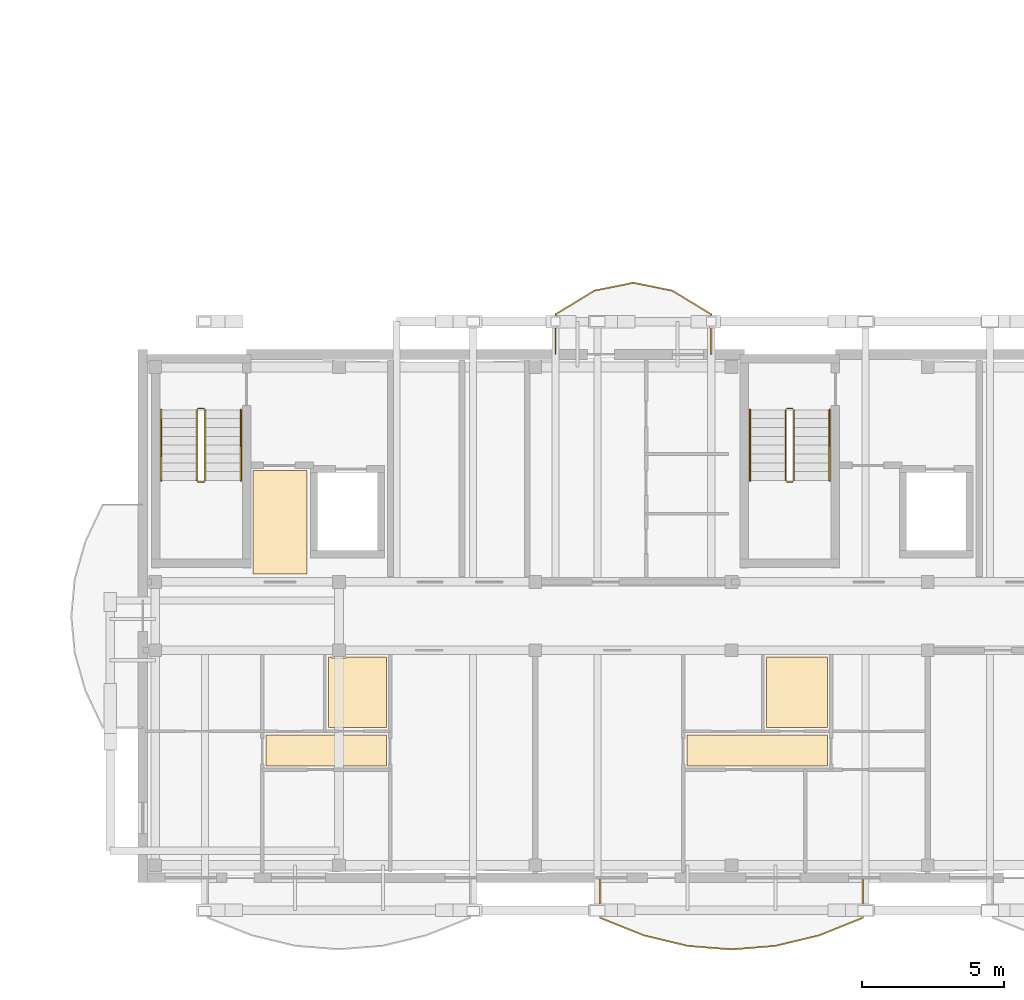
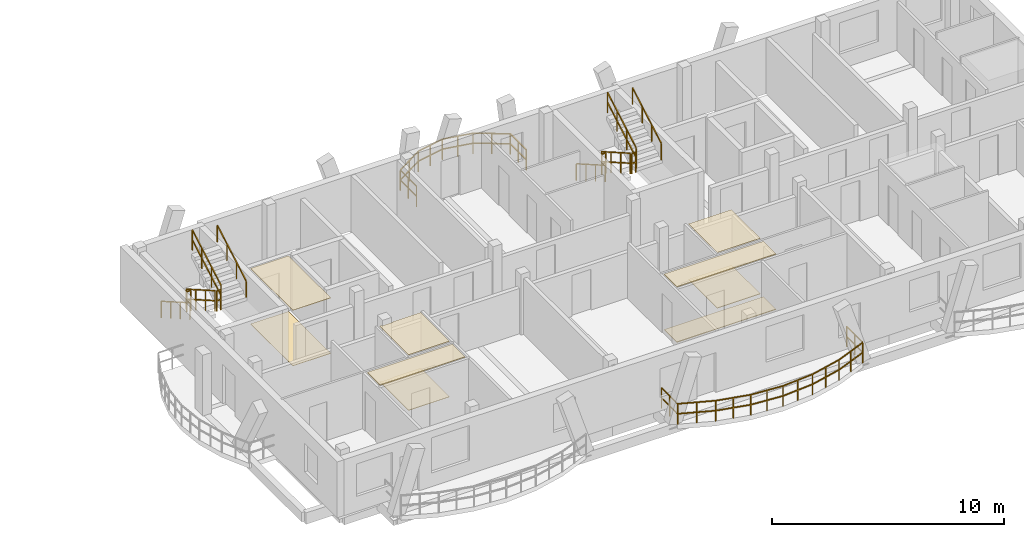
# One storey, part 41 of 44: 14 railings, 9 coverings.
"""IFC4 building model written with IfcOpenShell, lengths in metres."""

from ifc_helpers import new_model, si_unit, direction, frame, origin, origin_2d, place, context, subcontext, project, spatial, polyline, rectangle, outline, extrude, material, layer, layer_set, type_object, element, save


model = new_model("IFC4")

# Units and contexts
model_context = context("Model", 3, precision=1e-05, world=origin(), true_north=direction((0.0, 1.0)))
body_context = subcontext(model_context, "Body", "Model", "MODEL_VIEW")
ifc_project = project(units=[si_unit("LENGTHUNIT", "METRE"), si_unit("AREAUNIT", "SQUARE_METRE"), si_unit("VOLUMEUNIT", "CUBIC_METRE"), si_unit("PLANEANGLEUNIT", "RADIAN"), si_unit("MASSUNIT", "GRAM", prefix="KILO")], contexts=[model_context])

# Site, building, storey
site_placement = place(None, origin())
site = spatial("IfcSite", under=ifc_project, at=site_placement, CompositionType="ELEMENT")
building_placement = place(site_placement, origin())
building = spatial("IfcBuilding", under=site, at=building_placement, Name="Zavelmont Quarter", CompositionType="ELEMENT")
storey_placement = place(building_placement, frame((0.0, 0.0, 20.800048828125)))
storey = spatial("IfcBuildingStorey", under=building, at=storey_placement, Name="L06", CompositionType="ELEMENT", Elevation=20.800048828125)

# Coverings
ifc_material_1 = material(Name="Perforated acoustic gypsum board")
ifc_layer_1 = layer(ifc_material_1, 0.02490234375)
ifc_layer_set_1 = layer_set([ifc_layer_1], Name="Perforated acoustic gypsum board")
covering_type_1 = type_object("IfcCoveringType", Name="CV-CL01", PredefinedType="CEILING", material=ifc_layer_set_1)
covering_1_placement = place(storey_placement, frame((0.0, 0.0, 2.925048828125)))
element("IfcCovering", 1, at=covering_1_placement, inside=storey, type_object=covering_type_1, Name="L06 Lobby Vestibule acoustic ceiling", PredefinedType="CEILING", context=body_context, shape_type="SweptSolid", body=[
    extrude(outline(polyline([(130.47998046875, 14.320068359375), (132.3701171875, 14.320068359375), (132.3701171875, 10.679931640625), (130.47998046875, 10.679931640625), (130.47998046875, 14.320068359375)])), origin(), (0.0, 0.0, 1.0), 0.02490234375),
])
covering_2_placement = place(storey_placement, frame((0.0, 0.0, 2.925048828125)))
element("IfcCovering", 2, at=covering_2_placement, inside=storey, type_object=covering_type_1, Name="L06 Kitchen acoustic ceiling", PredefinedType="CEILING", context=body_context, shape_type="SweptSolid", body=[
    extrude(outline(polyline([(133.1298828125, 7.77001953125), (133.235107421875, 7.77001953125), (133.235107421875, 7.735107421875), (133.764892578125, 7.735107421875), (133.764892578125, 7.77001953125), (135.169921875, 7.77001953125), (135.169921875, 5.280029296875), (133.1298828125, 5.280029296875), (133.1298828125, 7.77001953125)])), origin(), (0.0, 0.0, 1.0), 0.02490234375),
])
ifc_material_2 = material(Name="Slatted European ash acoustic baffle ceiling")
ifc_layer_2 = layer(ifc_material_2, 0.0400390625)
ifc_layer_set_2 = layer_set([ifc_layer_2], Name="Slatted European ash acoustic baffle ceiling")
covering_type_2 = type_object("IfcCoveringType", Name="CV-CL02", PredefinedType="CEILING", material=ifc_layer_set_2)
covering_3_placement = place(storey_placement, frame((0.0, 0.0, 2.909912109375)))
element("IfcCovering", 3, at=covering_3_placement, inside=storey, type_object=covering_type_2, Name="L06 Apartment Hall acoustic ceiling", PredefinedType="CEILING", context=body_context, shape_type="SweptSolid", body=[
    extrude(outline(polyline([(130.929931640625, 5.02001953125), (135.169921875, 5.02001953125), (135.169921875, 3.929931640625), (130.929931640625, 3.929931640625), (130.929931640625, 5.02001953125)])), origin(), (0.0, 0.0, 1.0), 0.0400390625),
])
covering_4_placement = place(storey_placement, frame((0.0, 0.0, 2.909912109375)))
element("IfcCovering", 4, at=covering_4_placement, inside=storey, type_object=covering_type_2, Name="L06 Apartment Hall acoustic ceiling", PredefinedType="CEILING", context=body_context, shape_type="SweptSolid", body=[
    extrude(outline(polyline([(145.72998046875, 5.02001953125), (150.669921875, 5.02001953125), (150.669921875, 3.929931640625), (145.72998046875, 3.929931640625), (145.72998046875, 5.02001953125)])), origin(), (0.0, 0.0, 1.0), 0.0400390625),
])
ifc_material_3 = material(Name="Moisture-resistant painted gypsum ceiling")
ifc_layer_3 = layer(ifc_material_3, 0.02001953125)
ifc_layer_set_3 = layer_set([ifc_layer_3], Name="Moisture-resistant painted gypsum ceiling")
covering_type_3 = type_object("IfcCoveringType", Name="CV-CL04", PredefinedType="CEILING", material=ifc_layer_set_3)
covering_5_placement = place(storey_placement, frame((0.0, 0.0, 2.929931640625)))
element("IfcCovering", 5, at=covering_5_placement, inside=storey, type_object=covering_type_3, Name="L06 Bathroom acoustic ceiling", PredefinedType="CEILING", context=body_context, shape_type="SweptSolid", body=[
    extrude(outline(polyline([(148.530029296875, 7.77001953125), (150.669921875, 7.77001953125), (150.669921875, 5.280029296875), (148.530029296875, 5.280029296875), (148.530029296875, 7.77001953125)])), origin(), (0.0, 0.0, 1.0), 0.02001953125),
])
ifc_material_4 = material(Name="Engineered European oak parquet")
ifc_layer_4 = layer(ifc_material_4, 0.02197265625)
ifc_layer_set_4 = layer_set([ifc_layer_4], Name="Engineered European oak parquet")
covering_type_4 = type_object("IfcCoveringType", Name="CV-FL01", PredefinedType="FLOORING", material=ifc_layer_set_4)
covering_6_placement = place(storey_placement, origin())
element("IfcCovering", 6, at=covering_6_placement, inside=storey, type_object=covering_type_4, Name="L06 Lobby Vestibule floor finish", PredefinedType="FLOORING", context=body_context, shape_type="SweptSolid", body=[
    extrude(outline(polyline([(130.47998046875, 14.320068359375), (132.3701171875, 14.320068359375), (132.3701171875, 10.679931640625), (130.47998046875, 10.679931640625), (130.47998046875, 14.320068359375)])), origin(), (0.0, 0.0, 1.0), 0.02197265625),
])
covering_7_placement = place(storey_placement, origin())
element("IfcCovering", 7, at=covering_7_placement, inside=storey, type_object=covering_type_4, Name="L06 Kitchen floor finish", PredefinedType="FLOORING", context=body_context, shape_type="SweptSolid", body=[
    extrude(outline(polyline([(133.1298828125, 7.77001953125), (133.235107421875, 7.77001953125), (133.235107421875, 7.735107421875), (133.764892578125, 7.735107421875), (133.764892578125, 7.77001953125), (135.169921875, 7.77001953125), (135.169921875, 5.280029296875), (133.1298828125, 5.280029296875), (133.1298828125, 7.77001953125)])), origin(), (0.0, 0.0, 1.0), 0.02197265625),
])
ifc_material_5 = material(Name="Honed Belgian bluestone tile", Category="masonry")
ifc_layer_5 = layer(ifc_material_5, 0.030029296875)
ifc_layer_set_5 = layer_set([ifc_layer_5], Name="Honed Belgian bluestone tile")
covering_type_5 = type_object("IfcCoveringType", Name="CV-FL02", PredefinedType="FLOORING", material=ifc_layer_set_5)
covering_8_placement = place(storey_placement, origin())
element("IfcCovering", 8, at=covering_8_placement, inside=storey, type_object=covering_type_5, Name="L06 Apartment Hall floor finish", PredefinedType="FLOORING", context=body_context, shape_type="SweptSolid", body=[
    extrude(outline(polyline([(145.72998046875, 5.02001953125), (150.669921875, 5.02001953125), (150.669921875, 3.929931640625), (145.72998046875, 3.929931640625), (145.72998046875, 5.02001953125)])), origin(), (0.0, 0.0, 1.0), 0.030029296875),
])
ifc_material_6 = material(Name="Slip-resistant porcelain tile")
ifc_layer_6 = layer(ifc_material_6, 0.02587890625)
ifc_layer_set_6 = layer_set([ifc_layer_6], Name="Slip-resistant porcelain tile")
covering_type_6 = type_object("IfcCoveringType", Name="CV-FL04", PredefinedType="FLOORING", material=ifc_layer_set_6)
covering_9_placement = place(storey_placement, origin())
element("IfcCovering", 9, at=covering_9_placement, inside=storey, type_object=covering_type_6, Name="L06 Bathroom floor finish", PredefinedType="FLOORING", context=body_context, shape_type="SweptSolid", body=[
    extrude(outline(polyline([(148.530029296875, 7.77001953125), (150.669921875, 7.77001953125), (150.669921875, 5.280029296875), (148.530029296875, 5.280029296875), (148.530029296875, 7.77001953125)])), origin(), (0.0, 0.0, 1.0), 0.02587890625),
])

# Railings
ifc_material_7 = material(Name="Powder-coated steel and tempered double safety glass", Category="steel")
railing_type_1 = type_object("IfcRailingType", Name="RL-BAL1", PredefinedType="BALUSTRADE", material=ifc_material_7)
railing_1_placement = place(storey_placement, frame((142.685302734375, -0.02001953125, 0.0)))
element("IfcRailing", 10, at=railing_1_placement, inside=storey, type_object=railing_type_1, Name="L06 Block D curved balcony guard RL-BAL1", PredefinedType="BALUSTRADE", context=body_context, shape_type="SweptSolid", body=[
    extrude(rectangle(XDim=0.048095703125, YDim=0.048095703125, at=origin_2d()), frame((0.0, 0.0, 1.076171875), z_axis=(0.0, -1.0, 0.0), x_axis=(1.0, 0.0, 0.0)), (0.0, 0.0, 1.0), 1.392333984375),
    extrude(rectangle(XDim=0.048095703125, YDim=0.048095703125, at=origin_2d()), frame((0.0, 0.0, 0.550048828125), z_axis=(0.0, -1.0, 0.0), x_axis=(1.0, 0.0, 0.0)), (0.0, 0.0, 1.0), 1.392333984375),
    extrude(rectangle(XDim=0.048095703125, YDim=0.048095703125, at=origin_2d()), frame((0.0, -1.392333984375, 1.076171875), z_axis=(0.928222444561, -0.372025662304, 0.0), x_axis=(0.372025662304, 0.928222444561, 0.0)), (0.0, 0.0, 1.0), 1.656982421875),
    extrude(rectangle(XDim=0.048095703125, YDim=0.048095703125, at=origin_2d()), frame((0.0, -1.392333984375, 0.550048828125), z_axis=(0.928222444561, -0.372025662304, 0.0), x_axis=(0.372025662304, 0.928222444561, 0.0)), (0.0, 0.0, 1.0), 1.656982421875),
    extrude(rectangle(XDim=0.048095703125, YDim=0.048095703125, at=origin_2d()), frame((1.5380859375, -2.0087890625, 1.076171875), z_axis=(0.972290572243, -0.233775625607, 0.0), x_axis=(0.233775625607, 0.972290572243, 0.0)), (0.0, 0.0, 1.0), 1.582275390625),
    extrude(rectangle(XDim=0.048095703125, YDim=0.048095703125, at=origin_2d()), frame((1.5380859375, -2.0087890625, 0.550048828125), z_axis=(0.972290572243, -0.233775625607, 0.0), x_axis=(0.233775625607, 0.972290572243, 0.0)), (0.0, 0.0, 1.0), 1.582275390625),
    extrude(rectangle(XDim=0.048095703125, YDim=0.048095703125, at=origin_2d()), frame((3.076416015625, -2.378662109375, 1.076171875), z_axis=(0.996803698739, -0.079889837782, 0.0), x_axis=(0.079889837782, 0.996803698739, 0.0)), (0.0, 0.0, 1.0), 1.543212890625),
    extrude(rectangle(XDim=0.048095703125, YDim=0.048095703125, at=origin_2d()), frame((3.076416015625, -2.378662109375, 0.550048828125), z_axis=(0.996803698739, -0.079889837782, 0.0), x_axis=(0.079889837782, 0.996803698739, 0.0)), (0.0, 0.0, 1.0), 1.543212890625),
    extrude(rectangle(XDim=0.048095703125, YDim=0.048095703125, at=origin_2d()), frame((4.61474609375, -2.501953125, 1.076171875), z_axis=(0.996802688821, 0.079902437755, 0.0), x_axis=(-0.079902437755, 0.996802688821, 0.0)), (0.0, 0.0, 1.0), 1.54296875),
    extrude(rectangle(XDim=0.048095703125, YDim=0.048095703125, at=origin_2d()), frame((4.61474609375, -2.501953125, 0.550048828125), z_axis=(0.996802688821, 0.079902437755, 0.0), x_axis=(-0.079902437755, 0.996802688821, 0.0)), (0.0, 0.0, 1.0), 1.54296875),
    extrude(rectangle(XDim=0.048095703125, YDim=0.048095703125, at=origin_2d()), frame((6.15283203125, -2.378662109375, 1.076171875), z_axis=(0.972290572243, 0.233775625607, 0.0), x_axis=(-0.233775625607, 0.972290572243, 0.0)), (0.0, 0.0, 1.0), 1.582275390625),
    extrude(rectangle(XDim=0.048095703125, YDim=0.048095703125, at=origin_2d()), frame((6.15283203125, -2.378662109375, 0.550048828125), z_axis=(0.972290572243, 0.233775625607, 0.0), x_axis=(-0.233775625607, 0.972290572243, 0.0)), (0.0, 0.0, 1.0), 1.582275390625),
    extrude(rectangle(XDim=0.048095703125, YDim=0.048095703125, at=origin_2d()), frame((7.691162109375, -2.0087890625, 1.076171875), z_axis=(0.928242832261, 0.371974789947, 0.0), x_axis=(-0.371974789947, 0.928242832261, 0.0)), (0.0, 0.0, 1.0), 1.6572265625),
    extrude(rectangle(XDim=0.048095703125, YDim=0.048095703125, at=origin_2d()), frame((7.691162109375, -2.0087890625, 0.550048828125), z_axis=(0.928242832261, 0.371974789947, 0.0), x_axis=(-0.371974789947, 0.928242832261, 0.0)), (0.0, 0.0, 1.0), 1.6572265625),
    extrude(rectangle(XDim=0.048095703125, YDim=0.048095703125, at=origin_2d()), frame((9.2294921875, -1.392333984375, 1.076171875), z_axis=(0.0, 1.0, 0.0), x_axis=(-1.0, 0.0, 0.0)), (0.0, 0.0, 1.0), 1.392333984375),
    extrude(rectangle(XDim=0.048095703125, YDim=0.048095703125, at=origin_2d()), frame((9.2294921875, -1.392333984375, 0.550048828125), z_axis=(0.0, 1.0, 0.0), x_axis=(-1.0, 0.0, 0.0)), (0.0, 0.0, 1.0), 1.392333984375),
    extrude(rectangle(XDim=0.0419921875, YDim=0.0419921875, at=origin_2d()), origin(), (0.0, 0.0, 1.0), 1.052001953125),
    extrude(rectangle(XDim=0.0419921875, YDim=0.0419921875, at=origin_2d()), frame((0.0, -0.6962890625, 0.0)), (0.0, 0.0, 1.0), 1.052001953125),
    extrude(rectangle(XDim=0.0419921875, YDim=0.0419921875, at=origin_2d()), frame((0.0, -1.392333984375, 0.0)), (0.0, 0.0, 1.0), 1.052001953125),
    extrude(rectangle(XDim=0.0419921875, YDim=0.0419921875, at=origin_2d()), frame((0.76904296875, -1.70068359375, 0.0)), (0.0, 0.0, 1.0), 1.052001953125),
    extrude(rectangle(XDim=0.0419921875, YDim=0.0419921875, at=origin_2d()), frame((1.5380859375, -2.0087890625, 0.0)), (0.0, 0.0, 1.0), 1.052001953125),
    extrude(rectangle(XDim=0.0419921875, YDim=0.0419921875, at=origin_2d()), frame((2.30712890625, -2.19384765625, 0.0)), (0.0, 0.0, 1.0), 1.052001953125),
    extrude(rectangle(XDim=0.0419921875, YDim=0.0419921875, at=origin_2d()), frame((3.076416015625, -2.378662109375, 0.0)), (0.0, 0.0, 1.0), 1.052001953125),
    extrude(rectangle(XDim=0.0419921875, YDim=0.0419921875, at=origin_2d()), frame((3.845703125, -2.4404296875, 0.0)), (0.0, 0.0, 1.0), 1.052001953125),
    extrude(rectangle(XDim=0.0419921875, YDim=0.0419921875, at=origin_2d()), frame((4.61474609375, -2.501953125, 0.0)), (0.0, 0.0, 1.0), 1.052001953125),
    extrude(rectangle(XDim=0.0419921875, YDim=0.0419921875, at=origin_2d()), frame((5.3837890625, -2.4404296875, 0.0)), (0.0, 0.0, 1.0), 1.052001953125),
    extrude(rectangle(XDim=0.0419921875, YDim=0.0419921875, at=origin_2d()), frame((6.15283203125, -2.378662109375, 0.0)), (0.0, 0.0, 1.0), 1.052001953125),
    extrude(rectangle(XDim=0.0419921875, YDim=0.0419921875, at=origin_2d()), frame((6.921875, -2.19384765625, 0.0)), (0.0, 0.0, 1.0), 1.052001953125),
    extrude(rectangle(XDim=0.0419921875, YDim=0.0419921875, at=origin_2d()), frame((7.691162109375, -2.0087890625, 0.0)), (0.0, 0.0, 1.0), 1.052001953125),
    extrude(rectangle(XDim=0.0419921875, YDim=0.0419921875, at=origin_2d()), frame((8.46044921875, -1.70068359375, 0.0)), (0.0, 0.0, 1.0), 1.052001953125),
    extrude(rectangle(XDim=0.0419921875, YDim=0.0419921875, at=origin_2d()), frame((9.2294921875, -1.392333984375, 0.0)), (0.0, 0.0, 1.0), 1.052001953125),
    extrude(rectangle(XDim=0.0419921875, YDim=0.0419921875, at=origin_2d()), frame((9.2294921875, -0.6962890625, 0.0)), (0.0, 0.0, 1.0), 1.052001953125),
    extrude(rectangle(XDim=0.0419921875, YDim=0.0419921875, at=origin_2d()), frame((9.2294921875, 0.0, 0.0)), (0.0, 0.0, 1.0), 1.052001953125),
])
railing_2_placement = place(storey_placement, frame((146.58935546875, 18.419921875, 0.0)))
element("IfcRailing", 11, at=railing_2_placement, inside=storey, type_object=railing_type_1, Name="L06 Block D curved balcony guard RL-BAL1", PredefinedType="BALUSTRADE", context=body_context, shape_type="SweptSolid", body=[
    extrude(rectangle(XDim=0.048095703125, YDim=0.048095703125, at=origin_2d()), frame((0.0, 0.0, 1.076171875), z_axis=(0.0, 1.0, 0.0), x_axis=(-1.0, 0.0, 0.0)), (0.0, 0.0, 1.0), 1.392333984375),
    extrude(rectangle(XDim=0.048095703125, YDim=0.048095703125, at=origin_2d()), frame((0.0, 0.0, 0.550048828125), z_axis=(0.0, 1.0, 0.0), x_axis=(-1.0, 0.0, 0.0)), (0.0, 0.0, 1.0), 1.392333984375),
    extrude(rectangle(XDim=0.048095703125, YDim=0.048095703125, at=origin_2d()), frame((0.0, 1.392333984375, 1.076171875), z_axis=(-0.854589547615, 0.519304058435, 0.0), x_axis=(-0.519304058435, -0.854589547615, 0.0)), (0.0, 0.0, 1.0), 1.602783203125),
    extrude(rectangle(XDim=0.048095703125, YDim=0.048095703125, at=origin_2d()), frame((0.0, 1.392333984375, 0.550048828125), z_axis=(-0.854589547615, 0.519304058435, 0.0), x_axis=(-0.519304058435, -0.854589547615, 0.0)), (0.0, 0.0, 1.0), 1.602783203125),
    extrude(rectangle(XDim=0.048095703125, YDim=0.048095703125, at=origin_2d()), frame((-1.36962890625, 2.224609375, 1.076171875), z_axis=(-0.980073492656, 0.198635215891, 0.0), x_axis=(-0.198635215891, -0.980073492656, 0.0)), (0.0, 0.0, 1.0), 1.3974609375),
    extrude(rectangle(XDim=0.048095703125, YDim=0.048095703125, at=origin_2d()), frame((-1.36962890625, 2.224609375, 0.550048828125), z_axis=(-0.980073492656, 0.198635215891, 0.0), x_axis=(-0.198635215891, -0.980073492656, 0.0)), (0.0, 0.0, 1.0), 1.3974609375),
    extrude(rectangle(XDim=0.048095703125, YDim=0.048095703125, at=origin_2d()), frame((-2.7392578125, 2.502197265625, 1.076171875), z_axis=(-0.980080383886, -0.198601211278, 0.0), x_axis=(0.198601211278, -0.980080383886, 0.0)), (0.0, 0.0, 1.0), 1.397705078125),
    extrude(rectangle(XDim=0.048095703125, YDim=0.048095703125, at=origin_2d()), frame((-2.7392578125, 2.502197265625, 0.550048828125), z_axis=(-0.980080383886, -0.198601211278, 0.0), x_axis=(0.198601211278, -0.980080383886, 0.0)), (0.0, 0.0, 1.0), 1.397705078125),
    extrude(rectangle(XDim=0.048095703125, YDim=0.048095703125, at=origin_2d()), frame((-4.109130859375, 2.224609375, 1.076171875), z_axis=(-0.854589547615, -0.519304058435, 0.0), x_axis=(0.519304058435, -0.854589547615, 0.0)), (0.0, 0.0, 1.0), 1.602783203125),
    extrude(rectangle(XDim=0.048095703125, YDim=0.048095703125, at=origin_2d()), frame((-4.109130859375, 2.224609375, 0.550048828125), z_axis=(-0.854589547615, -0.519304058435, 0.0), x_axis=(0.519304058435, -0.854589547615, 0.0)), (0.0, 0.0, 1.0), 1.602783203125),
    extrude(rectangle(XDim=0.048095703125, YDim=0.048095703125, at=origin_2d()), frame((-5.478759765625, 1.392333984375, 1.076171875), z_axis=(0.0, -1.0, 0.0), x_axis=(1.0, 0.0, 0.0)), (0.0, 0.0, 1.0), 1.392333984375),
    extrude(rectangle(XDim=0.048095703125, YDim=0.048095703125, at=origin_2d()), frame((-5.478759765625, 1.392333984375, 0.550048828125), z_axis=(0.0, -1.0, 0.0), x_axis=(1.0, 0.0, 0.0)), (0.0, 0.0, 1.0), 1.392333984375),
    extrude(rectangle(XDim=0.0419921875, YDim=0.0419921875, at=origin_2d()), origin(), (0.0, 0.0, 1.0), 1.052001953125),
    extrude(rectangle(XDim=0.0419921875, YDim=0.0419921875, at=origin_2d()), frame((0.0, 0.6962890625, 0.0)), (0.0, 0.0, 1.0), 1.052001953125),
    extrude(rectangle(XDim=0.0419921875, YDim=0.0419921875, at=origin_2d()), frame((0.0, 1.392333984375, 0.0)), (0.0, 0.0, 1.0), 1.052001953125),
    extrude(rectangle(XDim=0.0419921875, YDim=0.0419921875, at=origin_2d()), frame((-0.684814453125, 1.80859375, 0.0)), (0.0, 0.0, 1.0), 1.052001953125),
    extrude(rectangle(XDim=0.0419921875, YDim=0.0419921875, at=origin_2d()), frame((-1.36962890625, 2.224609375, 0.0)), (0.0, 0.0, 1.0), 1.052001953125),
    extrude(rectangle(XDim=0.0419921875, YDim=0.0419921875, at=origin_2d()), frame((-2.054443359375, 2.36328125, 0.0)), (0.0, 0.0, 1.0), 1.052001953125),
    extrude(rectangle(XDim=0.0419921875, YDim=0.0419921875, at=origin_2d()), frame((-2.7392578125, 2.502197265625, 0.0)), (0.0, 0.0, 1.0), 1.052001953125),
    extrude(rectangle(XDim=0.0419921875, YDim=0.0419921875, at=origin_2d()), frame((-3.42431640625, 2.36328125, 0.0)), (0.0, 0.0, 1.0), 1.052001953125),
    extrude(rectangle(XDim=0.0419921875, YDim=0.0419921875, at=origin_2d()), frame((-4.109130859375, 2.224609375, 0.0)), (0.0, 0.0, 1.0), 1.052001953125),
    extrude(rectangle(XDim=0.0419921875, YDim=0.0419921875, at=origin_2d()), frame((-4.7939453125, 1.80859375, 0.0)), (0.0, 0.0, 1.0), 1.052001953125),
    extrude(rectangle(XDim=0.0419921875, YDim=0.0419921875, at=origin_2d()), frame((-5.478759765625, 1.392333984375, 0.0)), (0.0, 0.0, 1.0), 1.052001953125),
    extrude(rectangle(XDim=0.0419921875, YDim=0.0419921875, at=origin_2d()), frame((-5.478759765625, 0.6962890625, 0.0)), (0.0, 0.0, 1.0), 1.052001953125),
    extrude(rectangle(XDim=0.0419921875, YDim=0.0419921875, at=origin_2d()), frame((-5.478759765625, 0.0, 0.0)), (0.0, 0.0, 1.0), 1.052001953125),
])
ifc_material_8 = material(Name="Powder-coated steel stair guardrail", Category="steel")
railing_type_2 = type_object("IfcRailingType", Name="RL-GRD1", PredefinedType="GUARDRAIL", material=ifc_material_8)
railing_3_placement = place(storey_placement, frame((128.5, 16.449951171875, 0.177734375)))
element("IfcRailing", 12, at=railing_3_placement, inside=storey, type_object=railing_type_2, Name="L06 ST07 stair guardrail 1", PredefinedType="GUARDRAIL", context=body_context, shape_type="SweptSolid", body=[
    extrude(rectangle(XDim=0.048095703125, YDim=0.048095703125, at=origin_2d()), frame((0.0, 0.0, 1.076171875), z_axis=(0.0, -0.867490628297, 0.497453525283), x_axis=(1.0, 0.0, 0.0)), (0.0, 0.0, 1.0), 2.85888671875),
    extrude(rectangle(XDim=0.048095703125, YDim=0.048095703125, at=origin_2d()), frame((0.0, 0.0, 0.550048828125), z_axis=(0.0, -0.867490628297, 0.497453525283), x_axis=(1.0, 0.0, 0.0)), (0.0, 0.0, 1.0), 2.85888671875),
    extrude(rectangle(XDim=0.0419921875, YDim=0.0419921875, at=origin_2d()), origin(), (0.0, 0.0, 1.0), 1.052001953125),
    extrude(rectangle(XDim=0.0419921875, YDim=0.0419921875, at=origin_2d()), frame((0.0, -0.82666015625, 0.47412109375)), (0.0, 0.0, 1.0), 1.052001953125),
    extrude(rectangle(XDim=0.0419921875, YDim=0.0419921875, at=origin_2d()), frame((0.0, -1.6533203125, 0.947998046875)), (0.0, 0.0, 1.0), 1.052001953125),
    extrude(rectangle(XDim=0.0419921875, YDim=0.0419921875, at=origin_2d()), frame((0.0, -2.47998046875, 1.422119140625)), (0.0, 0.0, 1.0), 1.052001953125),
])
railing_4_placement = place(storey_placement, frame((128.550048828125, 13.919921875, 1.599853515625)))
element("IfcRailing", 13, at=railing_4_placement, inside=storey, type_object=railing_type_2, Name="L06 ST07 stair guardrail 2", PredefinedType="GUARDRAIL", context=body_context, shape_type="SweptSolid", body=[
    extrude(rectangle(XDim=0.048095703125, YDim=0.048095703125, at=origin_2d()), frame((0.0, 0.0, 1.076171875), z_axis=(1.0, 0.0, 0.0), x_axis=(0.0, 1.0, 0.0)), (0.0, 0.0, 1.0), 0.199951171875),
    extrude(rectangle(XDim=0.048095703125, YDim=0.048095703125, at=origin_2d()), frame((0.0, 0.0, 0.550048828125), z_axis=(1.0, 0.0, 0.0), x_axis=(0.0, 1.0, 0.0)), (0.0, 0.0, 1.0), 0.199951171875),
    extrude(rectangle(XDim=0.0419921875, YDim=0.0419921875, at=origin_2d()), origin(), (0.0, 0.0, 1.0), 1.052001953125),
    extrude(rectangle(XDim=0.0419921875, YDim=0.0419921875, at=origin_2d()), frame((0.199951171875, 0.0, 0.0)), (0.0, 0.0, 1.0), 1.052001953125),
])
railing_5_placement = place(storey_placement, frame((128.800048828125, 13.969970703125, 1.77783203125)))
element("IfcRailing", 14, at=railing_5_placement, inside=storey, type_object=railing_type_2, Name="L06 ST07 stair guardrail 3", PredefinedType="GUARDRAIL", context=body_context, shape_type="SweptSolid", body=[
    extrude(rectangle(XDim=0.048095703125, YDim=0.048095703125, at=origin_2d()), frame((0.0, 0.0, 1.076171875), z_axis=(0.0, 0.867490628297, 0.497453525283), x_axis=(-1.0, 0.0, 0.0)), (0.0, 0.0, 1.0), 2.85888671875),
    extrude(rectangle(XDim=0.048095703125, YDim=0.048095703125, at=origin_2d()), frame((0.0, 0.0, 0.550048828125), z_axis=(0.0, 0.867490628297, 0.497453525283), x_axis=(-1.0, 0.0, 0.0)), (0.0, 0.0, 1.0), 2.85888671875),
    extrude(rectangle(XDim=0.0419921875, YDim=0.0419921875, at=origin_2d()), origin(), (0.0, 0.0, 1.0), 1.052001953125),
    extrude(rectangle(XDim=0.0419921875, YDim=0.0419921875, at=origin_2d()), frame((0.0, 0.82666015625, 0.47412109375)), (0.0, 0.0, 1.0), 1.052001953125),
    extrude(rectangle(XDim=0.0419921875, YDim=0.0419921875, at=origin_2d()), frame((0.0, 1.6533203125, 0.947998046875)), (0.0, 0.0, 1.0), 1.052001953125),
    extrude(rectangle(XDim=0.0419921875, YDim=0.0419921875, at=origin_2d()), frame((0.0, 2.47998046875, 1.422119140625)), (0.0, 0.0, 1.0), 1.052001953125),
])
railing_6_placement = place(storey_placement, frame((128.550048828125, 16.5, 0.0)))
element("IfcRailing", 15, at=railing_6_placement, inside=storey, type_object=railing_type_2, Name="L06 ST07 stair guardrail 4", PredefinedType="GUARDRAIL", context=body_context, shape_type="SweptSolid", body=[
    extrude(rectangle(XDim=0.048095703125, YDim=0.048095703125, at=origin_2d()), frame((0.0, 0.0, 1.076171875), z_axis=(1.0, 0.0, 0.0), x_axis=(0.0, 1.0, 0.0)), (0.0, 0.0, 1.0), 0.199951171875),
    extrude(rectangle(XDim=0.048095703125, YDim=0.048095703125, at=origin_2d()), frame((0.0, 0.0, 0.550048828125), z_axis=(1.0, 0.0, 0.0), x_axis=(0.0, 1.0, 0.0)), (0.0, 0.0, 1.0), 0.199951171875),
    extrude(rectangle(XDim=0.0419921875, YDim=0.0419921875, at=origin_2d()), origin(), (0.0, 0.0, 1.0), 1.052001953125),
    extrude(rectangle(XDim=0.0419921875, YDim=0.0419921875, at=origin_2d()), frame((0.199951171875, 0.0, 0.0)), (0.0, 0.0, 1.0), 1.052001953125),
])
railing_7_placement = place(storey_placement, frame((149.199951171875, 16.449951171875, 0.177734375)))
element("IfcRailing", 16, at=railing_7_placement, inside=storey, type_object=railing_type_2, Name="L06 ST08 stair guardrail 1", PredefinedType="GUARDRAIL", context=body_context, shape_type="SweptSolid", body=[
    extrude(rectangle(XDim=0.048095703125, YDim=0.048095703125, at=origin_2d()), frame((0.0, 0.0, 1.076171875), z_axis=(0.0, -0.867490628297, 0.497453525283), x_axis=(1.0, 0.0, 0.0)), (0.0, 0.0, 1.0), 2.85888671875),
    extrude(rectangle(XDim=0.048095703125, YDim=0.048095703125, at=origin_2d()), frame((0.0, 0.0, 0.550048828125), z_axis=(0.0, -0.867490628297, 0.497453525283), x_axis=(1.0, 0.0, 0.0)), (0.0, 0.0, 1.0), 2.85888671875),
    extrude(rectangle(XDim=0.0419921875, YDim=0.0419921875, at=origin_2d()), origin(), (0.0, 0.0, 1.0), 1.052001953125),
    extrude(rectangle(XDim=0.0419921875, YDim=0.0419921875, at=origin_2d()), frame((0.0, -0.82666015625, 0.47412109375)), (0.0, 0.0, 1.0), 1.052001953125),
    extrude(rectangle(XDim=0.0419921875, YDim=0.0419921875, at=origin_2d()), frame((0.0, -1.6533203125, 0.947998046875)), (0.0, 0.0, 1.0), 1.052001953125),
    extrude(rectangle(XDim=0.0419921875, YDim=0.0419921875, at=origin_2d()), frame((0.0, -2.47998046875, 1.422119140625)), (0.0, 0.0, 1.0), 1.052001953125),
])
railing_8_placement = place(storey_placement, frame((149.25, 13.919921875, 1.599853515625)))
element("IfcRailing", 17, at=railing_8_placement, inside=storey, type_object=railing_type_2, Name="L06 ST08 stair guardrail 2", PredefinedType="GUARDRAIL", context=body_context, shape_type="SweptSolid", body=[
    extrude(rectangle(XDim=0.048095703125, YDim=0.048095703125, at=origin_2d()), frame((0.0, 0.0, 1.076171875), z_axis=(1.0, 0.0, 0.0), x_axis=(0.0, 1.0, 0.0)), (0.0, 0.0, 1.0), 0.199951171875),
    extrude(rectangle(XDim=0.048095703125, YDim=0.048095703125, at=origin_2d()), frame((0.0, 0.0, 0.550048828125), z_axis=(1.0, 0.0, 0.0), x_axis=(0.0, 1.0, 0.0)), (0.0, 0.0, 1.0), 0.199951171875),
    extrude(rectangle(XDim=0.0419921875, YDim=0.0419921875, at=origin_2d()), origin(), (0.0, 0.0, 1.0), 1.052001953125),
    extrude(rectangle(XDim=0.0419921875, YDim=0.0419921875, at=origin_2d()), frame((0.199951171875, 0.0, 0.0)), (0.0, 0.0, 1.0), 1.052001953125),
])
railing_9_placement = place(storey_placement, frame((149.5, 13.969970703125, 1.77783203125)))
element("IfcRailing", 18, at=railing_9_placement, inside=storey, type_object=railing_type_2, Name="L06 ST08 stair guardrail 3", PredefinedType="GUARDRAIL", context=body_context, shape_type="SweptSolid", body=[
    extrude(rectangle(XDim=0.048095703125, YDim=0.048095703125, at=origin_2d()), frame((0.0, 0.0, 1.076171875), z_axis=(0.0, 0.867490628297, 0.497453525283), x_axis=(-1.0, 0.0, 0.0)), (0.0, 0.0, 1.0), 2.85888671875),
    extrude(rectangle(XDim=0.048095703125, YDim=0.048095703125, at=origin_2d()), frame((0.0, 0.0, 0.550048828125), z_axis=(0.0, 0.867490628297, 0.497453525283), x_axis=(-1.0, 0.0, 0.0)), (0.0, 0.0, 1.0), 2.85888671875),
    extrude(rectangle(XDim=0.0419921875, YDim=0.0419921875, at=origin_2d()), origin(), (0.0, 0.0, 1.0), 1.052001953125),
    extrude(rectangle(XDim=0.0419921875, YDim=0.0419921875, at=origin_2d()), frame((0.0, 0.82666015625, 0.47412109375)), (0.0, 0.0, 1.0), 1.052001953125),
    extrude(rectangle(XDim=0.0419921875, YDim=0.0419921875, at=origin_2d()), frame((0.0, 1.6533203125, 0.947998046875)), (0.0, 0.0, 1.0), 1.052001953125),
    extrude(rectangle(XDim=0.0419921875, YDim=0.0419921875, at=origin_2d()), frame((0.0, 2.47998046875, 1.422119140625)), (0.0, 0.0, 1.0), 1.052001953125),
])
railing_10_placement = place(storey_placement, frame((149.25, 16.5, 0.0)))
element("IfcRailing", 19, at=railing_10_placement, inside=storey, type_object=railing_type_2, Name="L06 ST08 stair guardrail 4", PredefinedType="GUARDRAIL", context=body_context, shape_type="SweptSolid", body=[
    extrude(rectangle(XDim=0.048095703125, YDim=0.048095703125, at=origin_2d()), frame((0.0, 0.0, 1.076171875), z_axis=(1.0, 0.0, 0.0), x_axis=(0.0, 1.0, 0.0)), (0.0, 0.0, 1.0), 0.199951171875),
    extrude(rectangle(XDim=0.048095703125, YDim=0.048095703125, at=origin_2d()), frame((0.0, 0.0, 0.550048828125), z_axis=(1.0, 0.0, 0.0), x_axis=(0.0, 1.0, 0.0)), (0.0, 0.0, 1.0), 0.199951171875),
    extrude(rectangle(XDim=0.0419921875, YDim=0.0419921875, at=origin_2d()), origin(), (0.0, 0.0, 1.0), 1.052001953125),
    extrude(rectangle(XDim=0.0419921875, YDim=0.0419921875, at=origin_2d()), frame((0.199951171875, 0.0, 0.0)), (0.0, 0.0, 1.0), 1.052001953125),
])
ifc_material_9 = material(Name="Brushed stainless-steel wall handrail", Category="steel")
railing_type_3 = type_object("IfcRailingType", Name="RL-HND1", PredefinedType="HANDRAIL", material=ifc_material_9)
railing_11_placement = place(storey_placement, frame((127.25, 16.449951171875, 0.177734375)))
element("IfcRailing", 20, at=railing_11_placement, inside=storey, type_object=railing_type_3, Name="L06 ST07 stair handrail 1", PredefinedType="HANDRAIL", context=body_context, shape_type="SweptSolid", body=[
    extrude(rectangle(XDim=0.048095703125, YDim=0.048095703125, at=origin_2d()), frame((0.0, 0.0, 0.8759765625), z_axis=(0.0, -0.867490628297, 0.497453525283), x_axis=(1.0, 0.0, 0.0)), (0.0, 0.0, 1.0), 2.85888671875),
    extrude(rectangle(XDim=0.0419921875, YDim=0.0419921875, at=origin_2d()), origin(), (0.0, 0.0, 1.0), 0.851806640625),
    extrude(rectangle(XDim=0.0419921875, YDim=0.0419921875, at=origin_2d()), frame((0.0, -0.82666015625, 0.47412109375)), (0.0, 0.0, 1.0), 0.851806640625),
    extrude(rectangle(XDim=0.0419921875, YDim=0.0419921875, at=origin_2d()), frame((0.0, -1.6533203125, 0.947998046875)), (0.0, 0.0, 1.0), 0.851806640625),
    extrude(rectangle(XDim=0.0419921875, YDim=0.0419921875, at=origin_2d()), frame((0.0, -2.47998046875, 1.422119140625)), (0.0, 0.0, 1.0), 0.851806640625),
])
railing_12_placement = place(storey_placement, frame((130.050048828125, 13.969970703125, 1.77783203125)))
element("IfcRailing", 21, at=railing_12_placement, inside=storey, type_object=railing_type_3, Name="L06 ST07 stair handrail 2", PredefinedType="HANDRAIL", context=body_context, shape_type="SweptSolid", body=[
    extrude(rectangle(XDim=0.048095703125, YDim=0.048095703125, at=origin_2d()), frame((0.0, 0.0, 0.8759765625), z_axis=(0.0, 0.867490628297, 0.497453525283), x_axis=(-1.0, 0.0, 0.0)), (0.0, 0.0, 1.0), 2.85888671875),
    extrude(rectangle(XDim=0.0419921875, YDim=0.0419921875, at=origin_2d()), origin(), (0.0, 0.0, 1.0), 0.851806640625),
    extrude(rectangle(XDim=0.0419921875, YDim=0.0419921875, at=origin_2d()), frame((0.0, 0.82666015625, 0.47412109375)), (0.0, 0.0, 1.0), 0.851806640625),
    extrude(rectangle(XDim=0.0419921875, YDim=0.0419921875, at=origin_2d()), frame((0.0, 1.6533203125, 0.947998046875)), (0.0, 0.0, 1.0), 0.851806640625),
    extrude(rectangle(XDim=0.0419921875, YDim=0.0419921875, at=origin_2d()), frame((0.0, 2.47998046875, 1.422119140625)), (0.0, 0.0, 1.0), 0.851806640625),
])
railing_13_placement = place(storey_placement, frame((147.949951171875, 16.449951171875, 0.177734375)))
element("IfcRailing", 22, at=railing_13_placement, inside=storey, type_object=railing_type_3, Name="L06 ST08 stair handrail 1", PredefinedType="HANDRAIL", context=body_context, shape_type="SweptSolid", body=[
    extrude(rectangle(XDim=0.048095703125, YDim=0.048095703125, at=origin_2d()), frame((0.0, 0.0, 0.8759765625), z_axis=(0.0, -0.867490628297, 0.497453525283), x_axis=(1.0, 0.0, 0.0)), (0.0, 0.0, 1.0), 2.85888671875),
    extrude(rectangle(XDim=0.0419921875, YDim=0.0419921875, at=origin_2d()), origin(), (0.0, 0.0, 1.0), 0.851806640625),
    extrude(rectangle(XDim=0.0419921875, YDim=0.0419921875, at=origin_2d()), frame((0.0, -0.82666015625, 0.47412109375)), (0.0, 0.0, 1.0), 0.851806640625),
    extrude(rectangle(XDim=0.0419921875, YDim=0.0419921875, at=origin_2d()), frame((0.0, -1.6533203125, 0.947998046875)), (0.0, 0.0, 1.0), 0.851806640625),
    extrude(rectangle(XDim=0.0419921875, YDim=0.0419921875, at=origin_2d()), frame((0.0, -2.47998046875, 1.422119140625)), (0.0, 0.0, 1.0), 0.851806640625),
])
railing_14_placement = place(storey_placement, frame((150.75, 13.969970703125, 1.77783203125)))
element("IfcRailing", 23, at=railing_14_placement, inside=storey, type_object=railing_type_3, Name="L06 ST08 stair handrail 2", PredefinedType="HANDRAIL", context=body_context, shape_type="SweptSolid", body=[
    extrude(rectangle(XDim=0.048095703125, YDim=0.048095703125, at=origin_2d()), frame((0.0, 0.0, 0.8759765625), z_axis=(0.0, 0.867490628297, 0.497453525283), x_axis=(-1.0, 0.0, 0.0)), (0.0, 0.0, 1.0), 2.85888671875),
    extrude(rectangle(XDim=0.0419921875, YDim=0.0419921875, at=origin_2d()), origin(), (0.0, 0.0, 1.0), 0.851806640625),
    extrude(rectangle(XDim=0.0419921875, YDim=0.0419921875, at=origin_2d()), frame((0.0, 0.82666015625, 0.47412109375)), (0.0, 0.0, 1.0), 0.851806640625),
    extrude(rectangle(XDim=0.0419921875, YDim=0.0419921875, at=origin_2d()), frame((0.0, 1.6533203125, 0.947998046875)), (0.0, 0.0, 1.0), 0.851806640625),
    extrude(rectangle(XDim=0.0419921875, YDim=0.0419921875, at=origin_2d()), frame((0.0, 2.47998046875, 1.422119140625)), (0.0, 0.0, 1.0), 0.851806640625),
])

save(model, "model.ifc")
